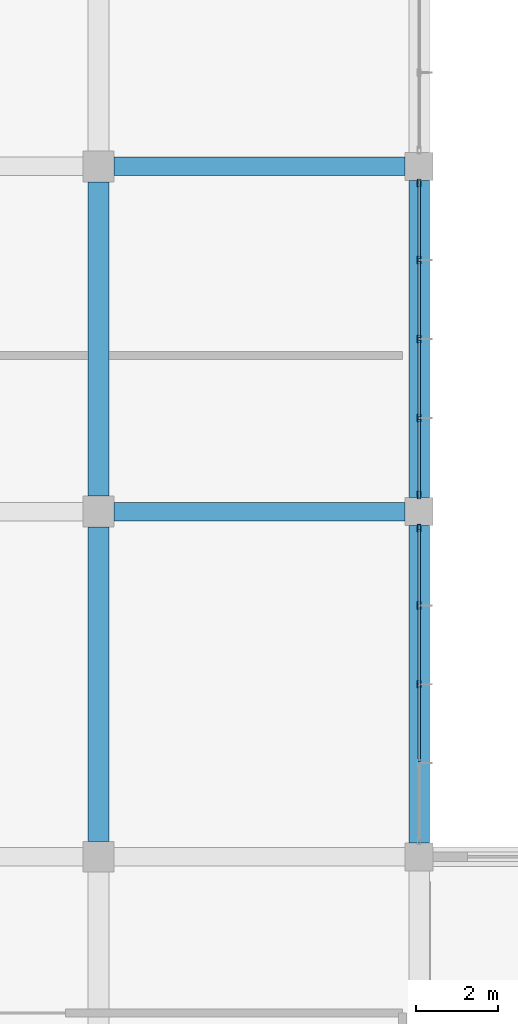
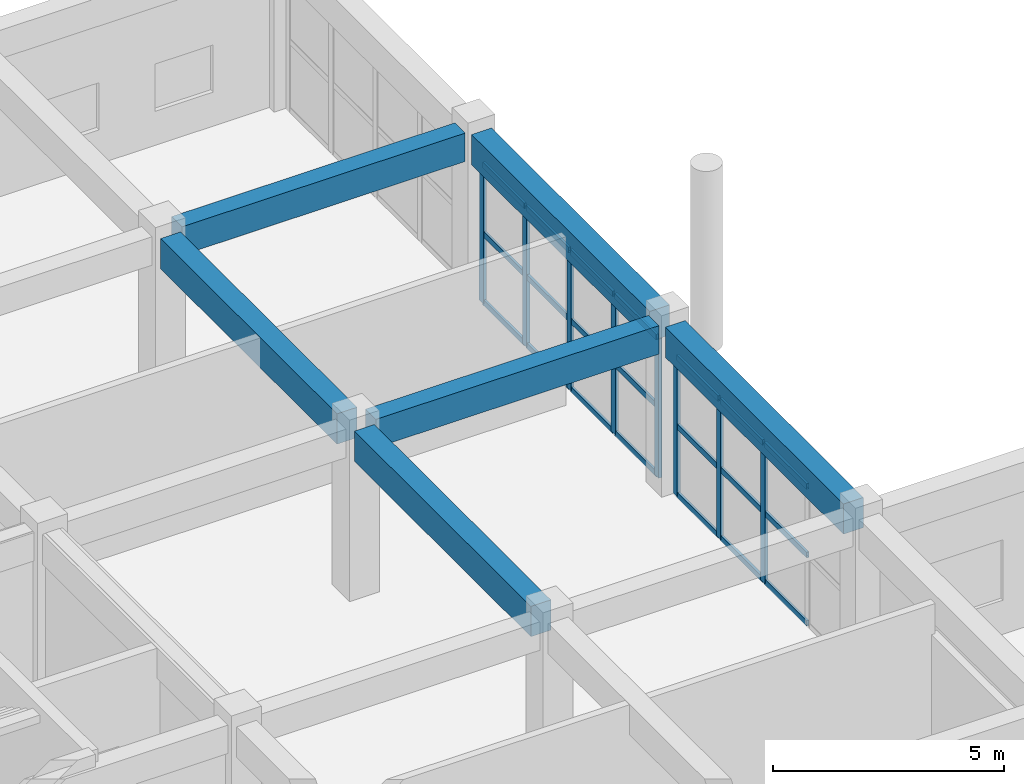
# One storey, part 111 of 175: 29 members, 6 beams, 2 elements without a shape of their own.
"""IFC4 building model written with IfcOpenShell, lengths in metres."""

from ifc_helpers import new_model, si_unit, direction, frame, origin, origin_2d, place, context, subcontext, project, spatial, rectangle, hollow_rectangle, extrude, material, layer, layer_set, material_profile, profile_set, type_object, element, aggregate, save


model = new_model("IFC4")

# Units and contexts
model_context = context("Model", 3, precision=1e-05, world=origin(), true_north=direction((0.0, 1.0)))
body_context = subcontext(model_context, "Body", "Model", "MODEL_VIEW")
ifc_project = project(units=[si_unit("LENGTHUNIT", "METRE"), si_unit("AREAUNIT", "SQUARE_METRE"), si_unit("VOLUMEUNIT", "CUBIC_METRE"), si_unit("PLANEANGLEUNIT", "RADIAN"), si_unit("MASSUNIT", "GRAM", prefix="KILO")], contexts=[model_context])

# Site, building, storey
site_placement = place(None, origin())
site = spatial("IfcSite", under=ifc_project, at=site_placement, CompositionType="ELEMENT")
building_placement = place(site_placement, origin())
building = spatial("IfcBuilding", under=site, at=building_placement, Name="Zizhar Promenade General Hospital", CompositionType="ELEMENT")
storey_placement = place(building_placement, frame((0.0, 0.0, 4.800048828125)))
storey = spatial("IfcBuildingStorey", under=building, at=storey_placement, Name="L01", CompositionType="ELEMENT", Elevation=4.800048828125)

# Beams
ifc_material_1 = material(Name="Concrete C35/45", Category="concrete")
ifc_material_profile_1 = material_profile(ifc_material_1, rectangle(XDim=0.449951171875, YDim=0.75, at=origin_2d()))
ifc_profile_set_1 = profile_set([ifc_material_profile_1], Name="Concrete C35/45")
beam_type_1 = type_object("IfcBeamType", Name="BM-RC-450x750", PredefinedType="BEAM", material=ifc_profile_set_1)
for number, where, z_axis, x_axis, name in (
    (1, (125.175048828125, 117.60009765625, 4.094970703125), (1.0, 0.0, 0.0), (0.0, 1.0, 0.0), "Grid Beam X L01 (16-14)"),
    (2, (125.175048828125, 126.0, 4.094970703125), (1.0, 0.0, 0.0), (0.0, 1.0, 0.0), "Grid Beam X L01 (16-15)"),
):
    element("IfcBeam", number, at=place(storey_placement, frame(where, z_axis=z_axis, x_axis=x_axis)), inside=storey, type_object=beam_type_1, Name=name, PredefinedType="BEAM", context=body_context, shape_type="SweptSolid", body=[
        extrude(rectangle(XDim=0.449951171875, YDim=0.75, at=origin_2d()), origin(), (0.0, 0.0, 1.0), 7.0849609375),
    ])
ifc_material_2 = material(Name="Concrete C35/45", Category="concrete")
ifc_material_profile_2 = material_profile(ifc_material_2, rectangle(XDim=0.5, YDim=0.800048828125, at=origin_2d()))
ifc_profile_set_2 = profile_set([ifc_material_profile_2], Name="Concrete C35/45")
beam_type_2 = type_object("IfcBeamType", Name="BM-RC-500x800", PredefinedType="BEAM", material=ifc_profile_set_2)
beam_1_placement = place(storey_placement, frame((124.800048828125, 109.574951171875, 4.070068359375), z_axis=(0.0, 1.0, 0.0), x_axis=(-1.0, 0.0, 0.0)))
element("IfcBeam", 3, at=beam_1_placement, inside=storey, type_object=beam_type_2, Name="Grid Beam Y L01 (16-13)", PredefinedType="BEAM", context=body_context, shape_type="SweptSolid", body=[
    extrude(rectangle(XDim=0.5, YDim=0.800048828125, at=origin_2d()), origin(), (0.0, 0.0, 1.0), 7.650146484375),
])
beam_2_placement = place(storey_placement, frame((124.800048828125, 117.97509765625, 4.070068359375), z_axis=(0.0, 1.0, 0.0), x_axis=(-1.0, 0.0, 0.0)))
element("IfcBeam", 4, at=beam_2_placement, inside=storey, type_object=beam_type_2, Name="Grid Beam Y L01 (16-14)", PredefinedType="BEAM", context=body_context, shape_type="SweptSolid", body=[
    extrude(rectangle(XDim=0.5, YDim=0.800048828125, at=origin_2d()), origin(), (0.0, 0.0, 1.0), 7.64990234375),
])
for number, where, z_axis, x_axis, name in (
    (5, (132.60009765625, 109.5400390625, 4.070068359375), (0.0, 1.0, 0.0), (-1.0, 0.0, 0.0), "Grid Beam Y L01 (17-13)"),
    (6, (132.60009765625, 117.93994140625, 4.070068359375), (0.0, 1.0, 0.0), (-1.0, 0.0, 0.0), "Grid Beam Y L01 (17-14)"),
):
    element("IfcBeam", number, at=place(storey_placement, frame(where, z_axis=z_axis, x_axis=x_axis)), inside=storey, type_object=beam_type_2, Name=name, PredefinedType="BEAM", context=body_context, shape_type="SweptSolid", body=[
        extrude(rectangle(XDim=0.5, YDim=0.800048828125, at=origin_2d()), origin(), (0.0, 0.0, 1.0), 7.719970703125),
    ])

# Curtain wall, members
ifc_material_3 = material(Name="Anodised aluminium 6063-T6 and low-E glass", Category="aluminium")
ifc_layer = layer(ifc_material_3, 0.159912109375)
ifc_layer_set = layer_set([ifc_layer], Name="Anodised aluminium 6063-T6 and low-E glass")
curtain_wall_type = type_object("IfcCurtainWallType", Name="CW-DT-MOD1", PredefinedType="NOTDEFINED", material=ifc_layer_set)
curtain_wall_1_placement = place(storey_placement, origin())
curtain_wall_1 = element("IfcCurtainWall", 7, at=curtain_wall_1_placement, inside=storey, type_object=curtain_wall_type, Name="Surgical East Glazed Curtain Wall L01-13", PredefinedType="NOTDEFINED")
ifc_material_4 = material(Name="Anodised aluminium 6063-T6", Category="aluminium")
ifc_material_profile_3 = material_profile(ifc_material_4, hollow_rectangle(XDim=0.080078125, YDim=0.179931640625, WallThickness=0.0048828125, at=origin_2d()))
ifc_profile_set_3 = profile_set([ifc_material_profile_3], Name="Anodised aluminium 6063-T6")
member_type_1 = type_object("IfcMemberType", Name="CWM-ALU-180x80", PredefinedType="MULLION", material=ifc_profile_set_3)
member_1_placement = place(storey_placement, frame((132.60009765625, 117.199951171875, 0.0), z_axis=(0.0, 0.0, 1.0), x_axis=(1.0, 0.0, 0.0)))
member_1 = element("IfcMember", 8, at=member_1_placement, type_object=member_type_1, Name="CW-07 mullion 1", PredefinedType="MULLION", context=body_context, shape_type="SweptSolid", body=[
    extrude(hollow_rectangle(XDim=0.080078125, YDim=0.179931640625, WallThickness=0.0048828125, at=origin_2d()), origin(), (0.0, 0.0, 1.0), 3.679931640625),
])
member_2_placement = place(storey_placement, frame((132.60009765625, 115.320068359375, 0.0), z_axis=(0.0, 0.0, 1.0), x_axis=(1.0, 0.0, 0.0)))
member_2 = element("IfcMember", 9, at=member_2_placement, type_object=member_type_1, Name="CW-07 mullion 2", PredefinedType="MULLION", context=body_context, shape_type="SweptSolid", body=[
    extrude(hollow_rectangle(XDim=0.080078125, YDim=0.179931640625, WallThickness=0.0048828125, at=origin_2d()), origin(), (0.0, 0.0, 1.0), 3.679931640625),
])
member_3_placement = place(storey_placement, frame((132.60009765625, 113.39990234375, 0.0), z_axis=(0.0, 0.0, 1.0), x_axis=(1.0, 0.0, 0.0)))
member_3 = element("IfcMember", 10, at=member_3_placement, type_object=member_type_1, Name="CW-07 mullion 3", PredefinedType="MULLION", context=body_context, shape_type="SweptSolid", body=[
    extrude(hollow_rectangle(XDim=0.080078125, YDim=0.179931640625, WallThickness=0.0048828125, at=origin_2d()), origin(), (0.0, 0.0, 1.0), 3.679931640625),
])

curtain_wall_2_placement = place(storey_placement, origin())
curtain_wall_2 = element("IfcCurtainWall", 11, at=curtain_wall_2_placement, inside=storey, type_object=curtain_wall_type, Name="Surgical East Glazed Curtain Wall L01-14", PredefinedType="NOTDEFINED")
member_4_placement = place(storey_placement, frame((132.60009765625, 125.60009765625, 0.0), z_axis=(0.0, 0.0, 1.0), x_axis=(1.0, 0.0, 0.0)))
member_4 = element("IfcMember", 12, at=member_4_placement, type_object=member_type_1, Name="CW-07 mullion 1", PredefinedType="MULLION", context=body_context, shape_type="SweptSolid", body=[
    extrude(hollow_rectangle(XDim=0.080078125, YDim=0.179931640625, WallThickness=0.0048828125, at=origin_2d()), origin(), (0.0, 0.0, 1.0), 3.679931640625),
])
member_5_placement = place(storey_placement, frame((132.60009765625, 123.719970703125, 0.0), z_axis=(0.0, 0.0, 1.0), x_axis=(1.0, 0.0, 0.0)))
member_5 = element("IfcMember", 13, at=member_5_placement, type_object=member_type_1, Name="CW-07 mullion 2", PredefinedType="MULLION", context=body_context, shape_type="SweptSolid", body=[
    extrude(hollow_rectangle(XDim=0.080078125, YDim=0.179931640625, WallThickness=0.0048828125, at=origin_2d()), origin(), (0.0, 0.0, 1.0), 3.679931640625),
])
member_6_placement = place(storey_placement, frame((132.60009765625, 121.800048828125, 0.0), z_axis=(0.0, 0.0, 1.0), x_axis=(1.0, 0.0, 0.0)))
member_6 = element("IfcMember", 14, at=member_6_placement, type_object=member_type_1, Name="CW-07 mullion 3", PredefinedType="MULLION", context=body_context, shape_type="SweptSolid", body=[
    extrude(hollow_rectangle(XDim=0.080078125, YDim=0.179931640625, WallThickness=0.0048828125, at=origin_2d()), origin(), (0.0, 0.0, 1.0), 3.679931640625),
])
member_7_placement = place(storey_placement, frame((132.60009765625, 119.8798828125, 0.0), z_axis=(0.0, 0.0, 1.0), x_axis=(1.0, 0.0, 0.0)))
member_7 = element("IfcMember", 15, at=member_7_placement, type_object=member_type_1, Name="CW-07 mullion 4", PredefinedType="MULLION", context=body_context, shape_type="SweptSolid", body=[
    extrude(hollow_rectangle(XDim=0.080078125, YDim=0.179931640625, WallThickness=0.0048828125, at=origin_2d()), origin(), (0.0, 0.0, 1.0), 3.679931640625),
])
member_8_placement = place(storey_placement, frame((132.60009765625, 118.0, 0.0), z_axis=(0.0, 0.0, 1.0), x_axis=(1.0, 0.0, 0.0)))
member_8 = element("IfcMember", 16, at=member_8_placement, type_object=member_type_1, Name="CW-07 mullion 5", PredefinedType="MULLION", context=body_context, shape_type="SweptSolid", body=[
    extrude(hollow_rectangle(XDim=0.080078125, YDim=0.179931640625, WallThickness=0.0048828125, at=origin_2d()), origin(), (0.0, 0.0, 1.0), 3.679931640625),
])

# Member
ifc_material_5 = material(Name="Anodised aluminium 6063-T6", Category="aluminium")
ifc_material_profile_4 = material_profile(ifc_material_5, hollow_rectangle(XDim=0.06005859375, YDim=0.14990234375, WallThickness=0.00390625, at=origin_2d()))
ifc_profile_set_4 = profile_set([ifc_material_profile_4], Name="Anodised aluminium 6063-T6")
member_type_2 = type_object("IfcMemberType", Name="CWT-ALU-150x60", PredefinedType="USERDEFINED", material=ifc_profile_set_4)
member_9_placement = place(storey_placement, frame((132.60009765625, 117.159912109375, 0.030029296875), z_axis=(0.0, -1.0, 0.0), x_axis=(1.0, 0.0, 0.0)))
member_9 = element("IfcMember", 17, at=member_9_placement, type_object=member_type_2, Name="CW-07 transom 1.1", ObjectType="TRANSOM", PredefinedType="USERDEFINED", context=body_context, shape_type="SweptSolid", body=[
    extrude(hollow_rectangle(XDim=0.06005859375, YDim=0.14990234375, WallThickness=0.00390625, at=origin_2d()), origin(), (0.0, 0.0, 1.0), 1.7998046875),
])

member_10_placement = place(storey_placement, frame((132.60009765625, 117.159912109375, 1.83984375), z_axis=(0.0, -1.0, 0.0), x_axis=(1.0, 0.0, 0.0)))
member_10 = element("IfcMember", 18, at=member_10_placement, type_object=member_type_2, Name="CW-07 transom 1.2", ObjectType="TRANSOM", PredefinedType="USERDEFINED", context=body_context, shape_type="SweptSolid", body=[
    extrude(hollow_rectangle(XDim=0.06005859375, YDim=0.14990234375, WallThickness=0.00390625, at=origin_2d()), origin(), (0.0, 0.0, 1.0), 1.7998046875),
])

member_11_placement = place(storey_placement, frame((132.60009765625, 117.159912109375, 3.64990234375), z_axis=(0.0, -1.0, 0.0), x_axis=(1.0, 0.0, 0.0)))
member_11 = element("IfcMember", 19, at=member_11_placement, type_object=member_type_2, Name="CW-07 transom 1.3", ObjectType="TRANSOM", PredefinedType="USERDEFINED", context=body_context, shape_type="SweptSolid", body=[
    extrude(hollow_rectangle(XDim=0.06005859375, YDim=0.14990234375, WallThickness=0.00390625, at=origin_2d()), origin(), (0.0, 0.0, 1.0), 1.7998046875),
])

member_12_placement = place(storey_placement, frame((132.60009765625, 115.280029296875, 0.030029296875), z_axis=(0.0, -1.0, 0.0), x_axis=(1.0, 0.0, 0.0)))
member_12 = element("IfcMember", 20, at=member_12_placement, type_object=member_type_2, Name="CW-07 transom 2.1", ObjectType="TRANSOM", PredefinedType="USERDEFINED", context=body_context, shape_type="SweptSolid", body=[
    extrude(hollow_rectangle(XDim=0.06005859375, YDim=0.14990234375, WallThickness=0.00390625, at=origin_2d()), origin(), (0.0, 0.0, 1.0), 1.840087890625),
])

member_13_placement = place(storey_placement, frame((132.60009765625, 115.280029296875, 1.83984375), z_axis=(0.0, -1.0, 0.0), x_axis=(1.0, 0.0, 0.0)))
member_13 = element("IfcMember", 21, at=member_13_placement, type_object=member_type_2, Name="CW-07 transom 2.2", ObjectType="TRANSOM", PredefinedType="USERDEFINED", context=body_context, shape_type="SweptSolid", body=[
    extrude(hollow_rectangle(XDim=0.06005859375, YDim=0.14990234375, WallThickness=0.00390625, at=origin_2d()), origin(), (0.0, 0.0, 1.0), 1.840087890625),
])

member_14_placement = place(storey_placement, frame((132.60009765625, 115.280029296875, 3.64990234375), z_axis=(0.0, -1.0, 0.0), x_axis=(1.0, 0.0, 0.0)))
member_14 = element("IfcMember", 22, at=member_14_placement, type_object=member_type_2, Name="CW-07 transom 2.3", ObjectType="TRANSOM", PredefinedType="USERDEFINED", context=body_context, shape_type="SweptSolid", body=[
    extrude(hollow_rectangle(XDim=0.06005859375, YDim=0.14990234375, WallThickness=0.00390625, at=origin_2d()), origin(), (0.0, 0.0, 1.0), 1.840087890625),
])

member_15_placement = place(storey_placement, frame((132.60009765625, 113.360107421875, 0.030029296875), z_axis=(0.0, -1.0, 0.0), x_axis=(1.0, 0.0, 0.0)))
member_15 = element("IfcMember", 23, at=member_15_placement, type_object=member_type_2, Name="CW-07 transom 3.1", ObjectType="TRANSOM", PredefinedType="USERDEFINED", context=body_context, shape_type="SweptSolid", body=[
    extrude(hollow_rectangle(XDim=0.06005859375, YDim=0.14990234375, WallThickness=0.00390625, at=origin_2d()), origin(), (0.0, 0.0, 1.0), 1.840087890625),
])

member_16_placement = place(storey_placement, frame((132.60009765625, 113.360107421875, 1.83984375), z_axis=(0.0, -1.0, 0.0), x_axis=(1.0, 0.0, 0.0)))
member_16 = element("IfcMember", 24, at=member_16_placement, type_object=member_type_2, Name="CW-07 transom 3.2", ObjectType="TRANSOM", PredefinedType="USERDEFINED", context=body_context, shape_type="SweptSolid", body=[
    extrude(hollow_rectangle(XDim=0.06005859375, YDim=0.14990234375, WallThickness=0.00390625, at=origin_2d()), origin(), (0.0, 0.0, 1.0), 1.840087890625),
])

member_17_placement = place(storey_placement, frame((132.60009765625, 113.360107421875, 3.64990234375), z_axis=(0.0, -1.0, 0.0), x_axis=(1.0, 0.0, 0.0)))
member_17 = element("IfcMember", 25, at=member_17_placement, type_object=member_type_2, Name="CW-07 transom 3.3", ObjectType="TRANSOM", PredefinedType="USERDEFINED", context=body_context, shape_type="SweptSolid", body=[
    extrude(hollow_rectangle(XDim=0.06005859375, YDim=0.14990234375, WallThickness=0.00390625, at=origin_2d()), origin(), (0.0, 0.0, 1.0), 1.840087890625),
])

aggregate(curtain_wall_1, [member_1, member_2, member_3, member_9, member_10, member_11, member_12, member_13, member_14, member_15, member_16, member_17])

member_18_placement = place(storey_placement, frame((132.60009765625, 125.56005859375, 0.030029296875), z_axis=(0.0, -1.0, 0.0), x_axis=(1.0, 0.0, 0.0)))
member_18 = element("IfcMember", 26, at=member_18_placement, type_object=member_type_2, Name="CW-07 transom 1.1", ObjectType="TRANSOM", PredefinedType="USERDEFINED", context=body_context, shape_type="SweptSolid", body=[
    extrude(hollow_rectangle(XDim=0.06005859375, YDim=0.14990234375, WallThickness=0.00390625, at=origin_2d()), origin(), (0.0, 0.0, 1.0), 1.800048828125),
])

member_19_placement = place(storey_placement, frame((132.60009765625, 125.56005859375, 1.83984375), z_axis=(0.0, -1.0, 0.0), x_axis=(1.0, 0.0, 0.0)))
member_19 = element("IfcMember", 27, at=member_19_placement, type_object=member_type_2, Name="CW-07 transom 1.2", ObjectType="TRANSOM", PredefinedType="USERDEFINED", context=body_context, shape_type="SweptSolid", body=[
    extrude(hollow_rectangle(XDim=0.06005859375, YDim=0.14990234375, WallThickness=0.00390625, at=origin_2d()), origin(), (0.0, 0.0, 1.0), 1.800048828125),
])

member_20_placement = place(storey_placement, frame((132.60009765625, 125.56005859375, 3.64990234375), z_axis=(0.0, -1.0, 0.0), x_axis=(1.0, 0.0, 0.0)))
member_20 = element("IfcMember", 28, at=member_20_placement, type_object=member_type_2, Name="CW-07 transom 1.3", ObjectType="TRANSOM", PredefinedType="USERDEFINED", context=body_context, shape_type="SweptSolid", body=[
    extrude(hollow_rectangle(XDim=0.06005859375, YDim=0.14990234375, WallThickness=0.00390625, at=origin_2d()), origin(), (0.0, 0.0, 1.0), 1.800048828125),
])

member_21_placement = place(storey_placement, frame((132.60009765625, 123.679931640625, 0.030029296875), z_axis=(0.0, -1.0, 0.0), x_axis=(1.0, 0.0, 0.0)))
member_21 = element("IfcMember", 29, at=member_21_placement, type_object=member_type_2, Name="CW-07 transom 2.1", ObjectType="TRANSOM", PredefinedType="USERDEFINED", context=body_context, shape_type="SweptSolid", body=[
    extrude(hollow_rectangle(XDim=0.06005859375, YDim=0.14990234375, WallThickness=0.00390625, at=origin_2d()), origin(), (0.0, 0.0, 1.0), 1.83984375),
])

member_22_placement = place(storey_placement, frame((132.60009765625, 123.679931640625, 1.83984375), z_axis=(0.0, -1.0, 0.0), x_axis=(1.0, 0.0, 0.0)))
member_22 = element("IfcMember", 30, at=member_22_placement, type_object=member_type_2, Name="CW-07 transom 2.2", ObjectType="TRANSOM", PredefinedType="USERDEFINED", context=body_context, shape_type="SweptSolid", body=[
    extrude(hollow_rectangle(XDim=0.06005859375, YDim=0.14990234375, WallThickness=0.00390625, at=origin_2d()), origin(), (0.0, 0.0, 1.0), 1.83984375),
])

member_23_placement = place(storey_placement, frame((132.60009765625, 123.679931640625, 3.64990234375), z_axis=(0.0, -1.0, 0.0), x_axis=(1.0, 0.0, 0.0)))
member_23 = element("IfcMember", 31, at=member_23_placement, type_object=member_type_2, Name="CW-07 transom 2.3", ObjectType="TRANSOM", PredefinedType="USERDEFINED", context=body_context, shape_type="SweptSolid", body=[
    extrude(hollow_rectangle(XDim=0.06005859375, YDim=0.14990234375, WallThickness=0.00390625, at=origin_2d()), origin(), (0.0, 0.0, 1.0), 1.83984375),
])

member_24_placement = place(storey_placement, frame((132.60009765625, 121.760009765625, 0.030029296875), z_axis=(0.0, -1.0, 0.0), x_axis=(1.0, 0.0, 0.0)))
member_24 = element("IfcMember", 32, at=member_24_placement, type_object=member_type_2, Name="CW-07 transom 3.1", ObjectType="TRANSOM", PredefinedType="USERDEFINED", context=body_context, shape_type="SweptSolid", body=[
    extrude(hollow_rectangle(XDim=0.06005859375, YDim=0.14990234375, WallThickness=0.00390625, at=origin_2d()), origin(), (0.0, 0.0, 1.0), 1.840087890625),
])

member_25_placement = place(storey_placement, frame((132.60009765625, 121.760009765625, 1.83984375), z_axis=(0.0, -1.0, 0.0), x_axis=(1.0, 0.0, 0.0)))
member_25 = element("IfcMember", 33, at=member_25_placement, type_object=member_type_2, Name="CW-07 transom 3.2", ObjectType="TRANSOM", PredefinedType="USERDEFINED", context=body_context, shape_type="SweptSolid", body=[
    extrude(hollow_rectangle(XDim=0.06005859375, YDim=0.14990234375, WallThickness=0.00390625, at=origin_2d()), origin(), (0.0, 0.0, 1.0), 1.840087890625),
])

member_26_placement = place(storey_placement, frame((132.60009765625, 121.760009765625, 3.64990234375), z_axis=(0.0, -1.0, 0.0), x_axis=(1.0, 0.0, 0.0)))
member_26 = element("IfcMember", 34, at=member_26_placement, type_object=member_type_2, Name="CW-07 transom 3.3", ObjectType="TRANSOM", PredefinedType="USERDEFINED", context=body_context, shape_type="SweptSolid", body=[
    extrude(hollow_rectangle(XDim=0.06005859375, YDim=0.14990234375, WallThickness=0.00390625, at=origin_2d()), origin(), (0.0, 0.0, 1.0), 1.840087890625),
])

member_27_placement = place(storey_placement, frame((132.60009765625, 119.840087890625, 0.030029296875), z_axis=(0.0, -1.0, 0.0), x_axis=(1.0, 0.0, 0.0)))
member_27 = element("IfcMember", 35, at=member_27_placement, type_object=member_type_2, Name="CW-07 transom 4.1", ObjectType="TRANSOM", PredefinedType="USERDEFINED", context=body_context, shape_type="SweptSolid", body=[
    extrude(hollow_rectangle(XDim=0.06005859375, YDim=0.14990234375, WallThickness=0.00390625, at=origin_2d()), origin(), (0.0, 0.0, 1.0), 1.800048828125),
])

member_28_placement = place(storey_placement, frame((132.60009765625, 119.840087890625, 1.83984375), z_axis=(0.0, -1.0, 0.0), x_axis=(1.0, 0.0, 0.0)))
member_28 = element("IfcMember", 36, at=member_28_placement, type_object=member_type_2, Name="CW-07 transom 4.2", ObjectType="TRANSOM", PredefinedType="USERDEFINED", context=body_context, shape_type="SweptSolid", body=[
    extrude(hollow_rectangle(XDim=0.06005859375, YDim=0.14990234375, WallThickness=0.00390625, at=origin_2d()), origin(), (0.0, 0.0, 1.0), 1.800048828125),
])

member_29_placement = place(storey_placement, frame((132.60009765625, 119.840087890625, 3.64990234375), z_axis=(0.0, -1.0, 0.0), x_axis=(1.0, 0.0, 0.0)))
member_29 = element("IfcMember", 37, at=member_29_placement, type_object=member_type_2, Name="CW-07 transom 4.3", ObjectType="TRANSOM", PredefinedType="USERDEFINED", context=body_context, shape_type="SweptSolid", body=[
    extrude(hollow_rectangle(XDim=0.06005859375, YDim=0.14990234375, WallThickness=0.00390625, at=origin_2d()), origin(), (0.0, 0.0, 1.0), 1.800048828125),
])

aggregate(curtain_wall_2, [member_4, member_5, member_6, member_7, member_8, member_18, member_19, member_20, member_21, member_22, member_23, member_24, member_25, member_26, member_27, member_28, member_29])

save(model, "model.ifc")
